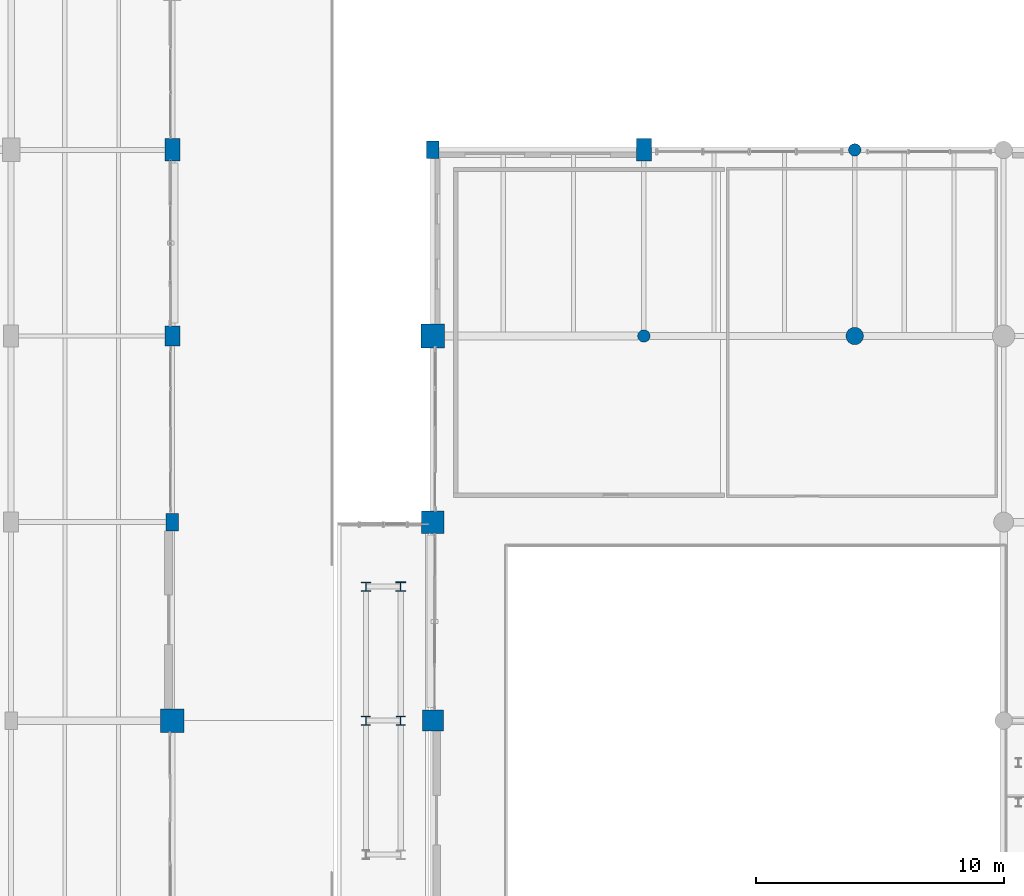
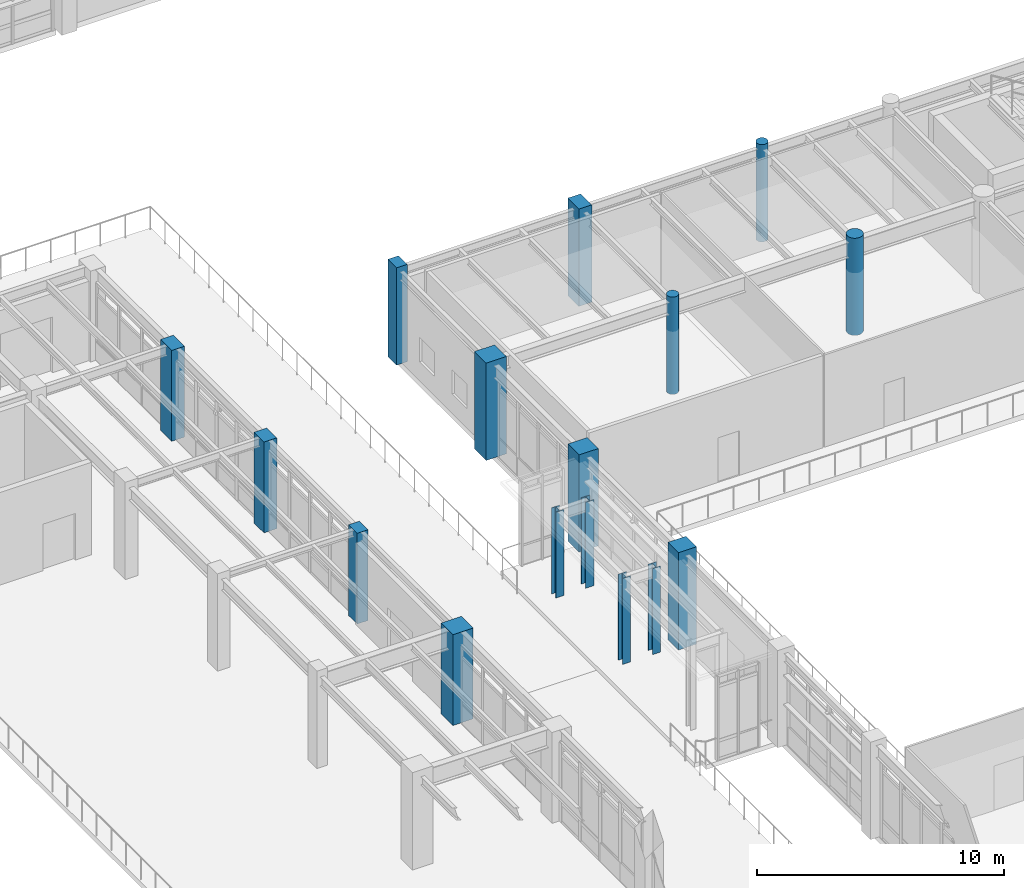
# One storey, part 14 of 200: 16 columns.
"""IFC4 building model written with IfcOpenShell, lengths in metres."""

from ifc_helpers import new_model, si_unit, direction, frame, origin, origin_2d, place, context, subcontext, project, spatial, rectangle, circle, i_section, extrude, material, material_profile, profile_set, type_object, element, save


model = new_model("IFC4")

# Units and contexts
model_context = context("Model", 3, precision=1e-05, world=origin(), true_north=direction((0.0, 1.0)))
body_context = subcontext(model_context, "Body", "Model", "MODEL_VIEW")
ifc_project = project(units=[si_unit("LENGTHUNIT", "METRE"), si_unit("AREAUNIT", "SQUARE_METRE"), si_unit("VOLUMEUNIT", "CUBIC_METRE"), si_unit("PLANEANGLEUNIT", "RADIAN"), si_unit("MASSUNIT", "GRAM", prefix="KILO"), si_unit("THERMODYNAMICTEMPERATUREUNIT", "KELVIN"), si_unit("POWERUNIT", "WATT")], contexts=[model_context])

# Site, building, storey
site_placement = place(None, origin())
site = spatial("IfcSite", under=ifc_project, at=site_placement, CompositionType="ELEMENT")
building_placement = place(site_placement, origin())
building = spatial("IfcBuilding", under=site, at=building_placement, Name="Tepalcoro Natatorium and Aquatics Centre", CompositionType="ELEMENT")
storey_placement = place(building_placement, frame((0.0, 0.0, 5.39990234375)))
storey = spatial("IfcBuildingStorey", under=building, at=storey_placement, Name="L01", CompositionType="ELEMENT", Elevation=5.39990234375)

# Columns
ifc_material_1 = material(Name="Concrete C40/50 (fc 40 MPa)", Category="concrete")
ifc_material_profile_1 = material_profile(ifc_material_1, rectangle(XDim=0.5, YDim=0.699951171875, at=origin_2d()), Name="RC500x700")
ifc_profile_set_1 = profile_set([ifc_material_profile_1], Name="Concrete C40/50 (fc 40 MPa)")
column_type_1 = type_object("IfcColumnType", Name="COL_RC_500x700", PredefinedType="COLUMN", material=ifc_profile_set_1)
column_1_placement = place(storey_placement, frame((131.5, 44.0, 0.0), z_axis=(0.0, 0.0, 1.0), x_axis=(1.0, 0.0, 0.0)))
element("IfcColumn", 1, at=column_1_placement, inside=storey, type_object=column_type_1, Name="V1 L01 Grid Column (131.5, 44.0)", PredefinedType="COLUMN", context=body_context, shape_type="SweptSolid", body=[
    extrude(rectangle(XDim=0.5, YDim=0.699951171875, at=origin_2d()), origin(), (0.0, 0.0, 1.0), 4.47998046875),
])
column_2_placement = place(storey_placement, frame((142.0, 59.0, 0.0), z_axis=(0.0, 0.0, 1.0), x_axis=(1.0, 0.0, 0.0)))
element("IfcColumn", 2, at=column_2_placement, inside=storey, type_object=column_type_1, Name="V2 L01 Grid Column (142.0, 59.0)", PredefinedType="COLUMN", context=body_context, shape_type="SweptSolid", body=[
    extrude(rectangle(XDim=0.5, YDim=0.699951171875, at=origin_2d()), origin(), (0.0, 0.0, 1.0), 4.800048828125),
])
ifc_material_profile_2 = material_profile(ifc_material_1, rectangle(XDim=0.60009765625, YDim=0.800048828125, at=origin_2d()), Name="RC600x800")
ifc_profile_set_2 = profile_set([ifc_material_profile_2], Name="Concrete C40/50 (fc 40 MPa)")
column_type_2 = type_object("IfcColumnType", Name="COL_RC_600x800", PredefinedType="COLUMN", material=ifc_profile_set_2)
column_3_placement = place(storey_placement, frame((131.5, 51.5, 0.0), z_axis=(0.0, 0.0, 1.0), x_axis=(1.0, 0.0, 0.0)))
element("IfcColumn", 3, at=column_3_placement, inside=storey, type_object=column_type_2, Name="V1 L01 Grid Column (131.5, 51.5)", PredefinedType="COLUMN", context=body_context, shape_type="SweptSolid", body=[
    extrude(rectangle(XDim=0.60009765625, YDim=0.800048828125, at=origin_2d()), origin(), (0.0, 0.0, 1.0), 4.47998046875),
])
ifc_material_profile_3 = material_profile(ifc_material_1, rectangle(XDim=0.60009765625, YDim=0.89990234375, at=origin_2d()), Name="RC600x900")
ifc_profile_set_3 = profile_set([ifc_material_profile_3], Name="Concrete C40/50 (fc 40 MPa)")
column_type_3 = type_object("IfcColumnType", Name="COL_RC_600x900", PredefinedType="COLUMN", material=ifc_profile_set_3)
column_4_placement = place(storey_placement, frame((131.5, 59.0, 0.0), z_axis=(0.0, 0.0, 1.0), x_axis=(1.0, 0.0, 0.0)))
element("IfcColumn", 4, at=column_4_placement, inside=storey, type_object=column_type_3, Name="V1 L01 Grid Column (131.5, 59.0)", PredefinedType="COLUMN", context=body_context, shape_type="SweptSolid", body=[
    extrude(rectangle(XDim=0.60009765625, YDim=0.89990234375, at=origin_2d()), origin(), (0.0, 0.0, 1.0), 4.47998046875),
])
column_5_placement = place(storey_placement, frame((150.5, 59.0, 0.0), z_axis=(0.0, 0.0, 1.0), x_axis=(1.0, 0.0, 0.0)))
element("IfcColumn", 5, at=column_5_placement, inside=storey, type_object=column_type_3, Name="V2 L01 Grid Column (150.5, 59.0)", PredefinedType="COLUMN", context=body_context, shape_type="SweptSolid", body=[
    extrude(rectangle(XDim=0.60009765625, YDim=0.89990234375, at=origin_2d()), origin(), (0.0, 0.0, 1.0), 4.800048828125),
])
ifc_material_profile_4 = material_profile(ifc_material_1, rectangle(XDim=0.85009765625, YDim=0.85009765625, at=origin_2d()), Name="RC850x850")
ifc_profile_set_4 = profile_set([ifc_material_profile_4], Name="Concrete C40/50 (fc 40 MPa)")
column_type_4 = type_object("IfcColumnType", Name="COL_RC_850x850", PredefinedType="COLUMN", material=ifc_profile_set_4)
column_6_placement = place(storey_placement, frame((142.0, 36.0, 0.0), z_axis=(0.0, 0.0, 1.0), x_axis=(1.0, 0.0, 0.0)))
element("IfcColumn", 6, at=column_6_placement, inside=storey, type_object=column_type_4, Name="V2 L01 Grid Column (142.0, 36.0)", PredefinedType="COLUMN", context=body_context, shape_type="SweptSolid", body=[
    extrude(rectangle(XDim=0.85009765625, YDim=0.85009765625, at=origin_2d()), origin(), (0.0, 0.0, 1.0), 4.800048828125),
])
ifc_material_profile_5 = material_profile(ifc_material_1, rectangle(XDim=0.89990234375, YDim=0.89990234375, at=origin_2d()), Name="RC900x900")
ifc_profile_set_5 = profile_set([ifc_material_profile_5], Name="Concrete C40/50 (fc 40 MPa)")
column_type_5 = type_object("IfcColumnType", Name="COL_RC_900x900", PredefinedType="COLUMN", material=ifc_profile_set_5)
column_7_placement = place(storey_placement, frame((142.0, 44.0, 0.0), z_axis=(0.0, 0.0, 1.0), x_axis=(1.0, 0.0, 0.0)))
element("IfcColumn", 7, at=column_7_placement, inside=storey, type_object=column_type_5, Name="V2 L01 Grid Column (142.0, 44.0)", PredefinedType="COLUMN", context=body_context, shape_type="SweptSolid", body=[
    extrude(rectangle(XDim=0.89990234375, YDim=0.89990234375, at=origin_2d()), origin(), (0.0, 0.0, 1.0), 4.800048828125),
])
ifc_material_profile_6 = material_profile(ifc_material_1, rectangle(XDim=0.949951171875, YDim=0.949951171875, at=origin_2d()), Name="RC950x950")
ifc_profile_set_6 = profile_set([ifc_material_profile_6], Name="Concrete C40/50 (fc 40 MPa)")
column_type_6 = type_object("IfcColumnType", Name="COL_RC_950x950", PredefinedType="COLUMN", material=ifc_profile_set_6)
column_8_placement = place(storey_placement, frame((131.5, 36.0, 0.0), z_axis=(0.0, 0.0, 1.0), x_axis=(1.0, 0.0, 0.0)))
element("IfcColumn", 8, at=column_8_placement, inside=storey, type_object=column_type_6, Name="V1 L01 Grid Column (131.5, 36.0)", PredefinedType="COLUMN", context=body_context, shape_type="SweptSolid", body=[
    extrude(rectangle(XDim=0.949951171875, YDim=0.949951171875, at=origin_2d()), origin(), (0.0, 0.0, 1.0), 4.47998046875),
])
column_9_placement = place(storey_placement, frame((142.0, 51.5, 0.0), z_axis=(0.0, 0.0, 1.0), x_axis=(1.0, 0.0, 0.0)))
element("IfcColumn", 9, at=column_9_placement, inside=storey, type_object=column_type_6, Name="V2 L01 Grid Column (142.0, 51.5)", PredefinedType="COLUMN", context=body_context, shape_type="SweptSolid", body=[
    extrude(rectangle(XDim=0.949951171875, YDim=0.949951171875, at=origin_2d()), origin(), (0.0, 0.0, 1.0), 4.800048828125),
])
ifc_material_profile_7 = material_profile(ifc_material_1, circle(Radius=0.25, at=origin_2d()), Name="RCD500")
ifc_profile_set_7 = profile_set([ifc_material_profile_7], Name="Concrete C40/50 (fc 40 MPa)")
column_type_7 = type_object("IfcColumnType", Name="COL_RC_D500", PredefinedType="COLUMN", material=ifc_profile_set_7)
for number, where, z_axis, x_axis, name in (
    (10, (150.5, 51.5, 0.0), (0.0, 0.0, 1.0), (1.0, 0.0, 0.0), "V2 L01 Grid Column (150.5, 51.5)"),
    (11, (159.0, 59.0, 0.0), (0.0, 0.0, 1.0), (1.0, 0.0, 0.0), "V2 L01 Grid Column (159.0, 59.0)"),
):
    element("IfcColumn", number, at=place(storey_placement, frame(where, z_axis=z_axis, x_axis=x_axis)), inside=storey, type_object=column_type_7, Name=name, PredefinedType="COLUMN", context=body_context, shape_type="SweptSolid", body=[
        extrude(circle(Radius=0.25, at=origin_2d()), origin(), (0.0, 0.0, 1.0), 4.800048828125),
    ])
ifc_material_profile_8 = material_profile(ifc_material_1, circle(Radius=0.35009765625, at=origin_2d()), Name="RCD700")
ifc_profile_set_8 = profile_set([ifc_material_profile_8], Name="Concrete C40/50 (fc 40 MPa)")
column_type_8 = type_object("IfcColumnType", Name="COL_RC_D700", PredefinedType="COLUMN", material=ifc_profile_set_8)
column_10_placement = place(storey_placement, frame((159.0, 51.5, 0.0), z_axis=(0.0, 0.0, 1.0), x_axis=(1.0, 0.0, 0.0)))
element("IfcColumn", 12, at=column_10_placement, inside=storey, type_object=column_type_8, Name="V2 L01 Grid Column (159.0, 51.5)", PredefinedType="COLUMN", context=body_context, shape_type="SweptSolid", body=[
    extrude(circle(Radius=0.35009765625, at=origin_2d()), origin(), (0.0, 0.0, 1.0), 4.800048828125),
])
ifc_material_2 = material(Name="Steel ASTM A992 Grade 50 (Fy 345 MPa)", Category="steel")
ifc_material_profile_9 = material_profile(ifc_material_2, i_section(OverallWidth=0.373046875, OverallDepth=0.367919921875, WebThickness=0.014892578125, FlangeThickness=0.02392578125, FilletRadius=0.013916015625, at=origin_2d()), Name="W14X120")
ifc_profile_set_9 = profile_set([ifc_material_profile_9], Name="Steel ASTM A992 Grade 50 (Fy 345 MPa)")
column_type_9 = type_object("IfcColumnType", Name="COL_W14x120", PredefinedType="COLUMN", material=ifc_profile_set_9)
for number, where, z_axis, x_axis, name in (
    (13, (139.300048828125, 41.39990234375, 0.0), (0.0, 0.0, 1.0), (1.0, 0.0, 0.0), "East Diving Seismic Link Column L01"),
    (14, (140.699951171875, 36.0, 0.0), (0.0, 0.0, 1.0), (1.0, 0.0, 0.0), "East Diving Seismic Link Column L01"),
):
    element("IfcColumn", number, at=place(storey_placement, frame(where, z_axis=z_axis, x_axis=x_axis)), inside=storey, type_object=column_type_9, Name=name, PredefinedType="COLUMN", context=body_context, shape_type="SweptSolid", body=[
        extrude(i_section(OverallWidth=0.373046875, OverallDepth=0.367919921875, WebThickness=0.014892578125, FlangeThickness=0.02392578125, FilletRadius=0.013916015625, at=origin_2d()), origin(), (0.0, 0.0, 1.0), 4.239990234375),
    ])
ifc_material_profile_10 = material_profile(ifc_material_2, i_section(OverallWidth=0.39404296875, OverallDepth=0.3759765625, WebThickness=0.01708984375, FlangeThickness=0.028076171875, FilletRadius=0.013916015625, at=origin_2d()), Name="W14X145")
ifc_profile_set_10 = profile_set([ifc_material_profile_10], Name="Steel ASTM A992 Grade 50 (Fy 345 MPa)")
column_type_10 = type_object("IfcColumnType", Name="COL_W14x145", PredefinedType="COLUMN", material=ifc_profile_set_10)
column_11_placement = place(storey_placement, frame((140.699951171875, 41.39990234375, 0.0), z_axis=(0.0, 0.0, 1.0), x_axis=(1.0, 0.0, 0.0)))
element("IfcColumn", 15, at=column_11_placement, inside=storey, type_object=column_type_10, Name="East Diving Seismic Link Column L01", PredefinedType="COLUMN", context=body_context, shape_type="SweptSolid", body=[
    extrude(i_section(OverallWidth=0.39404296875, OverallDepth=0.3759765625, WebThickness=0.01708984375, FlangeThickness=0.028076171875, FilletRadius=0.013916015625, at=origin_2d()), origin(), (0.0, 0.0, 1.0), 4.239990234375),
])
ifc_material_profile_11 = material_profile(ifc_material_2, i_section(OverallWidth=0.367919921875, OverallDepth=0.35595703125, WebThickness=0.010986328125, FlangeThickness=0.01806640625, FilletRadius=0.013916015625, at=origin_2d()), Name="W14X90")
ifc_profile_set_11 = profile_set([ifc_material_profile_11], Name="Steel ASTM A992 Grade 50 (Fy 345 MPa)")
column_type_11 = type_object("IfcColumnType", Name="COL_W14x90", PredefinedType="COLUMN", material=ifc_profile_set_11)
column_12_placement = place(storey_placement, frame((139.300048828125, 36.0, 0.0), z_axis=(0.0, 0.0, 1.0), x_axis=(1.0, 0.0, 0.0)))
element("IfcColumn", 16, at=column_12_placement, inside=storey, type_object=column_type_11, Name="East Diving Seismic Link Column L01", PredefinedType="COLUMN", context=body_context, shape_type="SweptSolid", body=[
    extrude(i_section(OverallWidth=0.367919921875, OverallDepth=0.35595703125, WebThickness=0.010986328125, FlangeThickness=0.01806640625, FilletRadius=0.013916015625, at=origin_2d()), origin(), (0.0, 0.0, 1.0), 4.239990234375),
])

save(model, "model.ifc")
